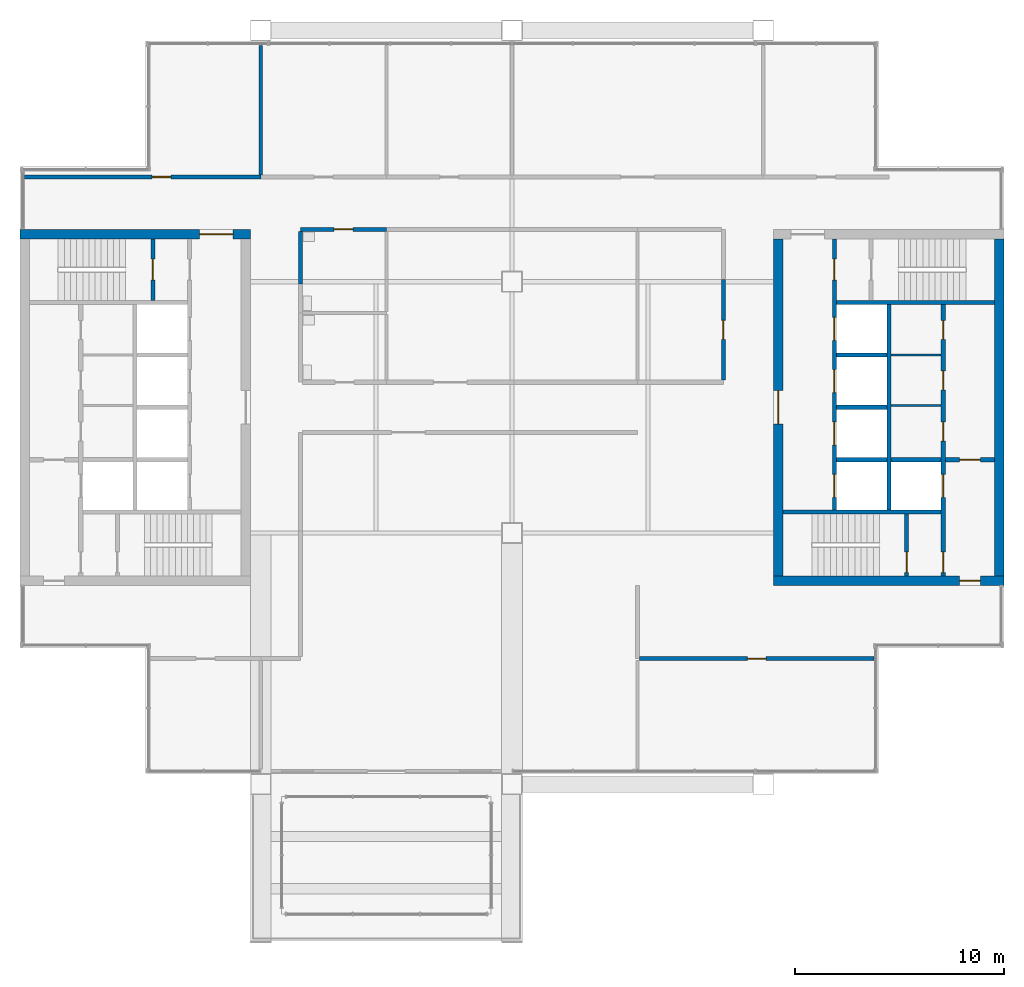
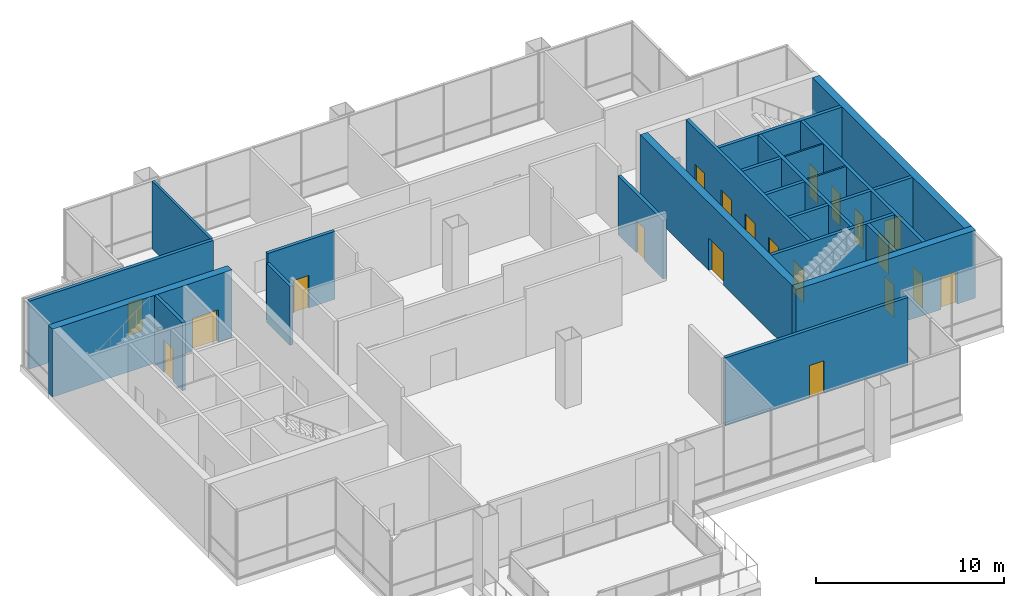
# One storey, part 12 of 15: 24 walls, 20 doors, 20 openings.
"""IFC4 building model written with IfcOpenShell, lengths in metres."""

from ifc_helpers import new_model, si_unit, direction, frame, frame_2d, origin, place, context, subcontext, project, spatial, rectangle, extrude, material, layer, layer_set, type_object, element, fill, save


model = new_model("IFC4")

# Units and contexts
model_context = context("Model", 3, precision=1e-05, world=origin(), true_north=direction((0.0, 1.0)))
body_context = subcontext(model_context, "Body", "Model", "MODEL_VIEW")
ifc_project = project(units=[si_unit("LENGTHUNIT", "METRE"), si_unit("AREAUNIT", "SQUARE_METRE"), si_unit("VOLUMEUNIT", "CUBIC_METRE"), si_unit("PLANEANGLEUNIT", "RADIAN"), si_unit("MASSUNIT", "GRAM", prefix="KILO")], contexts=[model_context])

# Site, building, storey
site_placement = place(None, origin())
site = spatial("IfcSite", under=ifc_project, at=site_placement, CompositionType="ELEMENT")
building_placement = place(site_placement, origin())
building = spatial("IfcBuilding", under=site, at=building_placement, Name="Kitamizu Gate Tower and Museum", CompositionType="ELEMENT")
storey_placement = place(building_placement, frame((0.0, 0.0, 273.14990234375)))
storey = spatial("IfcBuildingStorey", under=building, at=storey_placement, Name="L74", CompositionType="ELEMENT", Elevation=273.14990234375)

# Wall, opening, door
ifc_material_1 = material(Name="Concrete Fc42", Category="concrete")
ifc_layer_1 = layer(ifc_material_1, 0.449951171875)
ifc_layer_set_1 = layer_set([ifc_layer_1], Name="Concrete Fc42")
wall_type_1 = type_object("IfcWallType", Name="Core wall 450 EI 60", PredefinedType="SHEAR", material=ifc_layer_set_1)
wall_1_placement = place(storey_placement, frame((12.5, 38.27490234375, 0.0), z_axis=(0.0, 0.0, 1.0), x_axis=(1.0, 0.0, 0.0)))
wall_1 = element("IfcWall", 1, at=wall_1_placement, inside=storey, type_object=wall_type_1, Name="Core wall WN", PredefinedType="SHEAR", context=body_context, shape_type="SweptSolid", body=[
    extrude(rectangle(XDim=11.0, YDim=0.449951171875, at=frame_2d((5.5, 0.0))), origin(), (0.0, 0.0, 1.0), 4.400146484375),
])
opening_1_placement = place(wall_1_placement, frame((8.574951171875, 0.0, 0.0)))
opening_1 = element("IfcOpeningElement", 2, at=opening_1_placement, cuts=wall_1, Name="Opening L74-019", PredefinedType="OPENING", context=body_context, shape_type="SweptSolid", body=[
    extrude(rectangle(XDim=1.60009765625, YDim=2.10009765625, at=frame_2d((0.800048828125, 1.050048828125))), frame((0.0, 0.23486328125, 0.0), z_axis=(0.0, -1.0, 0.0), x_axis=(1.0, 0.0, 0.0)), (0.0, 0.0, 1.0), 0.469970703125),
])
ifc_material_2 = material(Name="Timber door set", Category="wood")
door_type_1 = type_object("IfcDoorType", Name="Entrance door 1600", OperationType="DOUBLE_DOOR_SINGLE_SWING", PredefinedType="DOOR", material=ifc_material_2)
door_1_placement = place(opening_1_placement, origin())
door_1 = element("IfcDoor", 3, at=door_1_placement, inside=storey, type_object=door_type_1, Name="Lobby door L74-019", OperationType="DOUBLE_DOOR_SINGLE_SWING", OverallHeight=2.10009765625, OverallWidth=1.60009765625, PredefinedType="DOOR", context=body_context, shape_type="SweptSolid", body=[
    extrude(rectangle(XDim=1.60009765625, YDim=2.10009765625, at=frame_2d((0.800048828125, 1.050048828125))), frame((0.0, 0.02490234375, 0.0), z_axis=(0.0, -1.0, 0.0), x_axis=(1.0, 0.0, 0.0)), (0.0, 0.0, 1.0), 0.050048828125),
])
fill(opening_1, door_1)

wall_2_placement = place(storey_placement, frame((59.5, 21.72509765625, 0.0), z_axis=(0.0, 0.0, 1.0), x_axis=(-1.0, 0.0, 0.0)))
wall_2 = element("IfcWall", 4, at=wall_2_placement, inside=storey, type_object=wall_type_1, Name="Core wall ES", PredefinedType="SHEAR", context=body_context, shape_type="SweptSolid", body=[
    extrude(rectangle(XDim=11.0, YDim=0.449951171875, at=frame_2d((5.5, 0.0))), origin(), (0.0, 0.0, 1.0), 4.400146484375),
])
opening_2_placement = place(wall_2_placement, frame((1.125, 0.0, 0.0)))
opening_2 = element("IfcOpeningElement", 5, at=opening_2_placement, cuts=wall_2, Name="Opening L74-029", PredefinedType="OPENING", context=body_context, shape_type="SweptSolid", body=[
    extrude(rectangle(XDim=1.0, YDim=2.10009765625, at=frame_2d((0.5, 1.050048828125))), frame((0.0, 0.23486328125, 0.0), z_axis=(0.0, -1.0, 0.0), x_axis=(1.0, 0.0, 0.0)), (0.0, 0.0, 1.0), 0.469970703125),
])
ifc_material_3 = material(Name="Hollow metal door set")
door_type_2 = type_object("IfcDoorType", Name="Fire door 1000", OperationType="NOTDEFINED", PredefinedType="DOOR", material=ifc_material_3)
door_2_placement = place(opening_2_placement, frame((1.0, 0.0, 0.0), x_axis=(-1.0, 0.0, 0.0)))
door_2 = element("IfcDoor", 6, at=door_2_placement, inside=storey, type_object=door_type_2, Name="Fire-fighting lobby door L74-029", OperationType="SINGLE_SWING_LEFT", OverallHeight=2.10009765625, OverallWidth=1.0, PredefinedType="DOOR", context=body_context, shape_type="SweptSolid", body=[
    extrude(rectangle(XDim=1.0, YDim=2.10009765625, at=frame_2d((0.5, 1.050048828125))), frame((0.0, 0.02490234375, 0.0), z_axis=(0.0, -1.0, 0.0), x_axis=(1.0, 0.0, 0.0)), (0.0, 0.0, 1.0), 0.050048828125),
])
fill(opening_2, door_2)

# Wall
wall_3_placement = place(storey_placement, frame((59.27490234375, 21.949951171875, 0.0), z_axis=(0.0, 0.0, 1.0), x_axis=(0.0, 1.0, 0.0)))
element("IfcWall", 7, at=wall_3_placement, inside=storey, type_object=wall_type_1, Name="Core wall EOUT", PredefinedType="SHEAR", context=body_context, shape_type="SweptSolid", body=[
    extrude(rectangle(XDim=16.10009765625, YDim=0.449951171875, at=frame_2d((8.050048828125, 0.0))), origin(), (0.0, 0.0, 1.0), 4.400146484375),
])

# Wall, opening, door
wall_4_placement = place(storey_placement, frame((48.72509765625, 21.949951171875, 0.0), z_axis=(0.0, 0.0, 1.0), x_axis=(0.0, 1.0, 0.0)))
wall_4 = element("IfcWall", 8, at=wall_4_placement, inside=storey, type_object=wall_type_1, Name="Core wall EARC", PredefinedType="SHEAR", context=body_context, shape_type="SweptSolid", body=[
    extrude(rectangle(XDim=16.10009765625, YDim=0.449951171875, at=frame_2d((8.050048828125, 0.0))), origin(), (0.0, 0.0, 1.0), 4.400146484375),
])
opening_3_placement = place(wall_4_placement, frame((7.25, 0.0, 0.0)))
opening_3 = element("IfcOpeningElement", 9, at=opening_3_placement, cuts=wall_4, Name="Opening L74-031", PredefinedType="OPENING", context=body_context, shape_type="SweptSolid", body=[
    extrude(rectangle(XDim=1.60009765625, YDim=2.10009765625, at=frame_2d((0.800048828125, 1.050048828125))), frame((0.0, 0.23486328125, 0.0), z_axis=(0.0, -1.0, 0.0), x_axis=(1.0, 0.0, 0.0)), (0.0, 0.0, 1.0), 0.469970703125),
])
door_3_placement = place(opening_3_placement, origin())
door_3 = element("IfcDoor", 10, at=door_3_placement, inside=storey, type_object=door_type_1, Name="Lobby door L74-031", OperationType="DOUBLE_DOOR_SINGLE_SWING", OverallHeight=2.10009765625, OverallWidth=1.60009765625, PredefinedType="DOOR", context=body_context, shape_type="SweptSolid", body=[
    extrude(rectangle(XDim=1.60009765625, YDim=2.10009765625, at=frame_2d((0.800048828125, 1.050048828125))), frame((0.0, 0.02490234375, 0.0), z_axis=(0.0, -1.0, 0.0), x_axis=(1.0, 0.0, 0.0)), (0.0, 0.0, 1.0), 0.050048828125),
])
fill(opening_3, door_3)

# Walls
ifc_material_4 = material(Name="Gypsum board on galvanised stud")
ifc_layer_2 = layer(ifc_material_4, 0.10009765625)
ifc_layer_set_2 = layer_set([ifc_layer_2], Name="Gypsum board on galvanised stud")
wall_type_2 = type_object("IfcWallType", Name="Partition 100", PredefinedType="PARTITIONING", material=ifc_layer_set_2)
for number, where, z_axis, x_axis, name in (
    (11, (56.5, 30.08203125, 0.0), (0.0, 0.0, 1.0), (-1.0, 0.0, 0.0), "Partition EPF1"),
    (12, (56.5, 32.490966796875, 0.0), (0.0, 0.0, 1.0), (-1.0, 0.0, 0.0), "Partition EPF2"),
):
    element("IfcWall", number, at=place(storey_placement, frame(where, z_axis=z_axis, x_axis=x_axis)), inside=storey, type_object=wall_type_2, Name=name, PredefinedType="PARTITIONING", context=body_context, shape_type="SweptSolid", body=[
        extrude(rectangle(XDim=2.39990234375, YDim=0.10009765625, at=frame_2d((1.199951171875, 0.0))), origin(), (0.0, 0.0, 1.0), 4.400146484375),
    ])
ifc_material_5 = material(Name="Gypsum board on galvanised stud")
ifc_layer_3 = layer(ifc_material_5, 0.14990234375)
ifc_layer_set_3 = layer_set([ifc_layer_3], Name="Gypsum board on galvanised stud")
wall_type_3 = type_object("IfcWallType", Name="Partition 150", PredefinedType="PARTITIONING", material=ifc_layer_set_3)
wall_5_placement = place(storey_placement, frame((24.0, 41.10009765625, 0.0), z_axis=(0.0, 0.0, 1.0), x_axis=(0.0, 1.0, 0.0)))
element("IfcWall", 13, at=wall_5_placement, inside=storey, type_object=wall_type_3, Name="Partition L74-029", PredefinedType="PARTITIONING", context=body_context, shape_type="SweptSolid", body=[
    extrude(rectangle(XDim=6.179931640625, YDim=0.14990234375, at=frame_2d((3.08984375, 0.0))), origin(), (0.0, 0.0, 1.0), 4.400146484375),
])

# Wall, opening, door
ifc_material_6 = material(Name="Gypsum board on galvanised stud")
ifc_layer_4 = layer(ifc_material_6, 0.199951171875)
ifc_layer_set_4 = layer_set([ifc_layer_4], Name="Gypsum board on galvanised stud")
wall_type_4 = type_object("IfcWallType", Name="Partition 200", PredefinedType="PARTITIONING", material=ifc_layer_set_4)
wall_6_placement = place(storey_placement, frame((42.10009765625, 18.0, 0.0), z_axis=(0.0, 0.0, 1.0), x_axis=(1.0, 0.0, 0.0)))
wall_6 = element("IfcWall", 14, at=wall_6_placement, inside=storey, type_object=wall_type_4, Name="Partition L74-008", PredefinedType="PARTITIONING", context=body_context, shape_type="SweptSolid", body=[
    extrude(rectangle(XDim=11.179931640625, YDim=0.199951171875, at=frame_2d((5.58984375, 0.0))), origin(), (0.0, 0.0, 1.0), 4.400146484375),
])
opening_4_placement = place(wall_6_placement, frame((5.139892578125, 0.0, 0.0)))
opening_4 = element("IfcOpeningElement", 15, at=opening_4_placement, cuts=wall_6, Name="Opening L74-003", PredefinedType="OPENING", context=body_context, shape_type="SweptSolid", body=[
    extrude(rectangle(XDim=0.89990234375, YDim=2.10009765625, at=frame_2d((0.449951171875, 1.050048828125))), frame((0.0, 0.10986328125, 0.0), z_axis=(0.0, -1.0, 0.0), x_axis=(1.0, 0.0, 0.0)), (0.0, 0.0, 1.0), 0.219970703125),
])
ifc_material_7 = material(Name="Timber door set", Category="wood")
door_type_3 = type_object("IfcDoorType", Name="Room door 900", OperationType="NOTDEFINED", PredefinedType="DOOR", material=ifc_material_7)
door_4_placement = place(opening_4_placement, frame((0.89990234375, 0.0, 0.0), x_axis=(-1.0, 0.0, 0.0)))
door_4 = element("IfcDoor", 16, at=door_4_placement, inside=storey, type_object=door_type_3, Name="Door L74-003", OperationType="SINGLE_SWING_RIGHT", OverallHeight=2.10009765625, OverallWidth=0.89990234375, PredefinedType="DOOR", context=body_context, shape_type="SweptSolid", body=[
    extrude(rectangle(XDim=0.89990234375, YDim=2.10009765625, at=frame_2d((0.449951171875, 1.050048828125))), frame((0.0, 0.02490234375, 0.0), z_axis=(0.0, -1.0, 0.0), x_axis=(1.0, 0.0, 0.0)), (0.0, 0.0, 1.0), 0.050048828125),
])
fill(opening_4, door_4)

wall_7_placement = place(storey_placement, frame((24.0, 41.0, 0.0), z_axis=(0.0, 0.0, 1.0), x_axis=(-1.0, 0.0, 0.0)))
wall_7 = element("IfcWall", 17, at=wall_7_placement, inside=storey, type_object=wall_type_4, Name="Partition L74-009", PredefinedType="PARTITIONING", context=body_context, shape_type="SweptSolid", body=[
    extrude(rectangle(XDim=11.280029296875, YDim=0.199951171875, at=frame_2d((5.64013671875, 0.0))), origin(), (0.0, 0.0, 1.0), 4.400146484375),
])
opening_5_placement = place(wall_7_placement, frame((4.2900390625, 0.0, 0.0)))
opening_5 = element("IfcOpeningElement", 18, at=opening_5_placement, cuts=wall_7, Name="Opening L74-004", PredefinedType="OPENING", context=body_context, shape_type="SweptSolid", body=[
    extrude(rectangle(XDim=0.89990234375, YDim=2.10009765625, at=frame_2d((0.449951171875, 1.050048828125))), frame((0.0, 0.10986328125, 0.0), z_axis=(0.0, -1.0, 0.0), x_axis=(1.0, 0.0, 0.0)), (0.0, 0.0, 1.0), 0.219970703125),
])
door_5_placement = place(opening_5_placement, frame((0.89990234375, 0.0, 0.0), x_axis=(-1.0, 0.0, 0.0)))
door_5 = element("IfcDoor", 19, at=door_5_placement, inside=storey, type_object=door_type_3, Name="Door L74-004", OperationType="SINGLE_SWING_RIGHT", OverallHeight=2.10009765625, OverallWidth=0.89990234375, PredefinedType="DOOR", context=body_context, shape_type="SweptSolid", body=[
    extrude(rectangle(XDim=0.89990234375, YDim=2.10009765625, at=frame_2d((0.449951171875, 1.050048828125))), frame((0.0, 0.02490234375, 0.0), z_axis=(0.0, -1.0, 0.0), x_axis=(1.0, 0.0, 0.0)), (0.0, 0.0, 1.0), 0.050048828125),
])
fill(opening_5, door_5)

wall_8_placement = place(storey_placement, frame((30.0, 38.5, 0.0), z_axis=(0.0, 0.0, 1.0), x_axis=(-1.0, 0.0, 0.0)))
wall_8 = element("IfcWall", 20, at=wall_8_placement, inside=storey, type_object=wall_type_4, Name="Partition L74-014", PredefinedType="PARTITIONING", context=body_context, shape_type="SweptSolid", body=[
    extrude(rectangle(XDim=4.10009765625, YDim=0.199951171875, at=frame_2d((2.050048828125, 0.0))), origin(), (0.0, 0.0, 1.0), 4.400146484375),
])
opening_6_placement = place(wall_8_placement, frame((1.60009765625, 0.0, 0.0)))
opening_6 = element("IfcOpeningElement", 21, at=opening_6_placement, cuts=wall_8, Name="Opening L74-009", PredefinedType="OPENING", context=body_context, shape_type="SweptSolid", body=[
    extrude(rectangle(XDim=0.89990234375, YDim=2.10009765625, at=frame_2d((0.449951171875, 1.050048828125))), frame((0.0, 0.10986328125, 0.0), z_axis=(0.0, -1.0, 0.0), x_axis=(1.0, 0.0, 0.0)), (0.0, 0.0, 1.0), 0.219970703125),
])
ifc_material_8 = material(Name="Timber door set", Category="wood")
door_type_4 = type_object("IfcDoorType", Name="Store door 900", OperationType="NOTDEFINED", PredefinedType="DOOR", material=ifc_material_8)
door_6_placement = place(opening_6_placement, origin())
door_6 = element("IfcDoor", 22, at=door_6_placement, inside=storey, type_object=door_type_4, Name="Store door L74-009", OperationType="SINGLE_SWING_LEFT", OverallHeight=2.10009765625, OverallWidth=0.89990234375, PredefinedType="DOOR", context=body_context, shape_type="SweptSolid", body=[
    extrude(rectangle(XDim=0.89990234375, YDim=2.10009765625, at=frame_2d((0.449951171875, 1.050048828125))), frame((0.0, 0.02490234375, 0.0), z_axis=(0.0, -1.0, 0.0), x_axis=(1.0, 0.0, 0.0)), (0.0, 0.0, 1.0), 0.050048828125),
])
fill(opening_6, door_6)

# Wall
wall_9_placement = place(storey_placement, frame((25.89990234375, 38.39990234375, 0.0), z_axis=(0.0, 0.0, 1.0), x_axis=(0.0, -1.0, 0.0)))
element("IfcWall", 23, at=wall_9_placement, inside=storey, type_object=wall_type_4, Name="Partition L74-015", PredefinedType="PARTITIONING", context=body_context, shape_type="SweptSolid", body=[
    extrude(rectangle(XDim=2.5, YDim=0.199951171875, at=frame_2d((1.25, 0.0))), origin(), (0.0, 0.0, 1.0), 3.800048828125),
])

# Wall, opening, door
wall_10_placement = place(storey_placement, frame((46.10009765625, 31.300048828125, 0.0), z_axis=(0.0, 0.0, 1.0), x_axis=(0.0, 1.0, 0.0)))
wall_10 = element("IfcWall", 24, at=wall_10_placement, inside=storey, type_object=wall_type_4, Name="Partition L74-024", PredefinedType="PARTITIONING", context=body_context, shape_type="SweptSolid", body=[
    extrude(rectangle(XDim=4.800048828125, YDim=0.199951171875, at=frame_2d((2.39990234375, 0.0))), origin(), (0.0, 0.0, 1.0), 3.800048828125),
])
opening_7_placement = place(wall_10_placement, frame((1.949951171875, 0.0, 0.0)))
opening_7 = element("IfcOpeningElement", 25, at=opening_7_placement, cuts=wall_10, Name="Opening L74-012", PredefinedType="OPENING", context=body_context, shape_type="SweptSolid", body=[
    extrude(rectangle(XDim=0.89990234375, YDim=2.10009765625, at=frame_2d((0.449951171875, 1.050048828125))), frame((0.0, 0.10986328125, 0.0), z_axis=(0.0, -1.0, 0.0), x_axis=(1.0, 0.0, 0.0)), (0.0, 0.0, 1.0), 0.219970703125),
])
door_7_placement = place(opening_7_placement, origin())
door_7 = element("IfcDoor", 26, at=door_7_placement, inside=storey, type_object=door_type_3, Name="Door L74-012", OperationType="SINGLE_SWING_LEFT", OverallHeight=2.10009765625, OverallWidth=0.89990234375, PredefinedType="DOOR", context=body_context, shape_type="SweptSolid", body=[
    extrude(rectangle(XDim=0.89990234375, YDim=2.10009765625, at=frame_2d((0.449951171875, 1.050048828125))), frame((0.0, 0.02490234375, 0.0), z_axis=(0.0, -1.0, 0.0), x_axis=(1.0, 0.0, 0.0)), (0.0, 0.0, 1.0), 0.050048828125),
])
fill(opening_7, door_7)

ifc_material_9 = material(Name="Concrete Fc42", Category="concrete")
ifc_layer_5 = layer(ifc_material_9, 0.199951171875)
ifc_layer_set_5 = layer_set([ifc_layer_5], Name="Concrete Fc42")
wall_type_5 = type_object("IfcWallType", Name="Shaft wall 200", PredefinedType="SOLIDWALL", material=ifc_layer_set_5)
wall_11_placement = place(storey_placement, frame((18.85009765625, 35.10009765625, 0.0), z_axis=(0.0, 0.0, 1.0), x_axis=(0.0, 1.0, 0.0)))
wall_11 = element("IfcWall", 27, at=wall_11_placement, inside=storey, type_object=wall_type_5, Name="Shaft wall WNZ", PredefinedType="SOLIDWALL", context=body_context, shape_type="SweptSolid", body=[
    extrude(rectangle(XDim=2.949951171875, YDim=0.199951171875, at=frame_2d((1.47509765625, 0.0))), origin(), (0.0, 0.0, 1.0), 4.400146484375),
])
opening_8_placement = place(wall_11_placement, frame((0.97509765625, 0.0, 0.0)))
opening_8 = element("IfcOpeningElement", 28, at=opening_8_placement, cuts=wall_11, Name="Opening L74-016", PredefinedType="OPENING", context=body_context, shape_type="SweptSolid", body=[
    extrude(rectangle(XDim=1.0, YDim=2.10009765625, at=frame_2d((0.5, 1.050048828125))), frame((0.0, 0.10986328125, 0.0), z_axis=(0.0, -1.0, 0.0), x_axis=(1.0, 0.0, 0.0)), (0.0, 0.0, 1.0), 0.219970703125),
])
door_8_placement = place(opening_8_placement, origin())
door_8 = element("IfcDoor", 29, at=door_8_placement, inside=storey, type_object=door_type_2, Name="Stair door L74-016", OperationType="SINGLE_SWING_LEFT", OverallHeight=2.10009765625, OverallWidth=1.0, PredefinedType="DOOR", context=body_context, shape_type="SweptSolid", body=[
    extrude(rectangle(XDim=1.0, YDim=2.10009765625, at=frame_2d((0.5, 1.050048828125))), frame((0.0, 0.02490234375, 0.0), z_axis=(0.0, -1.0, 0.0), x_axis=(1.0, 0.0, 0.0)), (0.0, 0.0, 1.0), 0.050048828125),
])
fill(opening_8, door_8)

# Wall, openings, doors
wall_12_placement = place(storey_placement, frame((56.60009765625, 21.949951171875, 0.0), z_axis=(0.0, 0.0, 1.0), x_axis=(0.0, 1.0, 0.0)))
wall_12 = element("IfcWall", 30, at=wall_12_placement, inside=storey, type_object=wall_type_5, Name="Shaft wall EWEST", PredefinedType="SOLIDWALL", context=body_context, shape_type="SweptSolid", body=[
    extrude(rectangle(XDim=12.949951171875, YDim=0.199951171875, at=frame_2d((6.47509765625, 0.0))), origin(), (0.0, 0.0, 1.0), 4.400146484375),
])
opening_9_placement = place(wall_12_placement, frame((3.75, 0.0, 0.0)))
opening_9 = element("IfcOpeningElement", 31, at=opening_9_placement, cuts=wall_12, Name="Opening LD", PredefinedType="OPENING", context=body_context, shape_type="SweptSolid", body=[
    extrude(rectangle(XDim=1.10009765625, YDim=2.10009765625, at=frame_2d((0.550048828125, 1.050048828125))), frame((0.0, 0.10986328125, 0.0), z_axis=(0.0, -1.0, 0.0), x_axis=(1.0, 0.0, 0.0)), (0.0, 0.0, 1.0), 0.219970703125),
])
opening_10_placement = place(wall_12_placement, frame((0.14990234375, 0.0, 0.0)))
opening_10 = element("IfcOpeningElement", 32, at=opening_10_placement, cuts=wall_12, Name="Opening L74-025", PredefinedType="OPENING", context=body_context, shape_type="SweptSolid", body=[
    extrude(rectangle(XDim=1.0, YDim=2.10009765625, at=frame_2d((0.5, 1.050048828125))), frame((0.0, 0.10986328125, 0.0), z_axis=(0.0, -1.0, 0.0), x_axis=(1.0, 0.0, 0.0)), (0.0, 0.0, 1.0), 0.219970703125),
])
opening_11_placement = place(wall_12_placement, frame((6.44091796875, 0.0, 0.0)))
opening_11 = element("IfcOpeningElement", 33, at=opening_11_placement, cuts=wall_12, Name="Opening L74-032", PredefinedType="OPENING", context=body_context, shape_type="SweptSolid", body=[
    extrude(rectangle(XDim=0.89990234375, YDim=2.10009765625, at=frame_2d((0.449951171875, 1.050048828125))), frame((0.0, 0.10986328125, 0.0), z_axis=(0.0, -1.0, 0.0), x_axis=(1.0, 0.0, 0.0)), (0.0, 0.0, 1.0), 0.219970703125),
])
opening_12_placement = place(wall_12_placement, frame((8.886474609375, 0.0, 0.0)))
opening_12 = element("IfcOpeningElement", 34, at=opening_12_placement, cuts=wall_12, Name="Opening L74-033", PredefinedType="OPENING", context=body_context, shape_type="SweptSolid", body=[
    extrude(rectangle(XDim=0.89990234375, YDim=2.10009765625, at=frame_2d((0.449951171875, 1.050048828125))), frame((0.0, 0.10986328125, 0.0), z_axis=(0.0, -1.0, 0.0), x_axis=(1.0, 0.0, 0.0)), (0.0, 0.0, 1.0), 0.219970703125),
])
opening_13_placement = place(wall_12_placement, frame((11.29541015625, 0.0, 0.0)))
opening_13 = element("IfcOpeningElement", 35, at=opening_13_placement, cuts=wall_12, Name="Opening L74-034", PredefinedType="OPENING", context=body_context, shape_type="SweptSolid", body=[
    extrude(rectangle(XDim=0.89990234375, YDim=2.10009765625, at=frame_2d((0.449951171875, 1.050048828125))), frame((0.0, 0.10986328125, 0.0), z_axis=(0.0, -1.0, 0.0), x_axis=(1.0, 0.0, 0.0)), (0.0, 0.0, 1.0), 0.219970703125),
])
door_9_placement = place(opening_10_placement, origin())
door_9 = element("IfcDoor", 36, at=door_9_placement, inside=storey, type_object=door_type_2, Name="Stair lobby door L74-025", OperationType="SINGLE_SWING_RIGHT", OverallHeight=2.10009765625, OverallWidth=1.0, PredefinedType="DOOR", context=body_context, shape_type="SweptSolid", body=[
    extrude(rectangle(XDim=1.0, YDim=2.10009765625, at=frame_2d((0.5, 1.050048828125))), frame((0.0, 0.02490234375, 0.0), z_axis=(0.0, -1.0, 0.0), x_axis=(1.0, 0.0, 0.0)), (0.0, 0.0, 1.0), 0.050048828125),
])
fill(opening_10, door_9)
ifc_material_10 = material(Name="Hollow metal door set")
door_type_5 = type_object("IfcDoorType", Name="Landing door 1100", OperationType="SLIDING_TO_LEFT", PredefinedType="DOOR", material=ifc_material_10)
door_10_placement = place(opening_9_placement, origin())
door_10 = element("IfcDoor", 37, at=door_10_placement, inside=storey, type_object=door_type_5, Name="Landing door EFF1", OperationType="SLIDING_TO_LEFT", OverallHeight=2.10009765625, OverallWidth=1.10009765625, PredefinedType="DOOR", context=body_context, shape_type="SweptSolid", body=[
    extrude(rectangle(XDim=1.10009765625, YDim=2.10009765625, at=frame_2d((0.550048828125, 1.050048828125))), frame((0.0, 0.02490234375, 0.0), z_axis=(0.0, -1.0, 0.0), x_axis=(1.0, 0.0, 0.0)), (0.0, 0.0, 1.0), 0.050048828125),
])
fill(opening_9, door_10)
ifc_material_11 = material(Name="Timber door set", Category="wood")
door_type_6 = type_object("IfcDoorType", Name="Service door 900", OperationType="NOTDEFINED", PredefinedType="DOOR", material=ifc_material_11)
door_11_placement = place(opening_11_placement, origin())
door_11 = element("IfcDoor", 38, at=door_11_placement, inside=storey, type_object=door_type_6, Name="Service door L74-032", OperationType="SINGLE_SWING_LEFT", OverallHeight=2.10009765625, OverallWidth=0.89990234375, PredefinedType="DOOR", context=body_context, shape_type="SweptSolid", body=[
    extrude(rectangle(XDim=0.89990234375, YDim=2.10009765625, at=frame_2d((0.449951171875, 1.050048828125))), frame((0.0, 0.02490234375, 0.0), z_axis=(0.0, -1.0, 0.0), x_axis=(1.0, 0.0, 0.0)), (0.0, 0.0, 1.0), 0.050048828125),
])
fill(opening_11, door_11)
door_12_placement = place(opening_12_placement, origin())
door_12 = element("IfcDoor", 39, at=door_12_placement, inside=storey, type_object=door_type_6, Name="Service door L74-033", OperationType="SINGLE_SWING_RIGHT", OverallHeight=2.10009765625, OverallWidth=0.89990234375, PredefinedType="DOOR", context=body_context, shape_type="SweptSolid", body=[
    extrude(rectangle(XDim=0.89990234375, YDim=2.10009765625, at=frame_2d((0.449951171875, 1.050048828125))), frame((0.0, 0.02490234375, 0.0), z_axis=(0.0, -1.0, 0.0), x_axis=(1.0, 0.0, 0.0)), (0.0, 0.0, 1.0), 0.050048828125),
])
fill(opening_12, door_12)
door_13_placement = place(opening_13_placement, origin())
door_13 = element("IfcDoor", 40, at=door_13_placement, inside=storey, type_object=door_type_6, Name="Service door L74-034", OperationType="SINGLE_SWING_LEFT", OverallHeight=2.10009765625, OverallWidth=0.89990234375, PredefinedType="DOOR", context=body_context, shape_type="SweptSolid", body=[
    extrude(rectangle(XDim=0.89990234375, YDim=2.10009765625, at=frame_2d((0.449951171875, 1.050048828125))), frame((0.0, 0.02490234375, 0.0), z_axis=(0.0, -1.0, 0.0), x_axis=(1.0, 0.0, 0.0)), (0.0, 0.0, 1.0), 0.050048828125),
])
fill(opening_13, door_13)

wall_13_placement = place(storey_placement, frame((51.39990234375, 25.10009765625, 0.0), z_axis=(0.0, 0.0, 1.0), x_axis=(0.0, 1.0, 0.0)))
wall_13 = element("IfcWall", 41, at=wall_13_placement, inside=storey, type_object=wall_type_5, Name="Shaft wall EEAST", PredefinedType="SOLIDWALL", context=body_context, shape_type="SweptSolid", body=[
    extrude(rectangle(XDim=12.949951171875, YDim=0.199951171875, at=frame_2d((6.47509765625, 0.0))), origin(), (0.0, 0.0, 1.0), 4.400146484375),
])
opening_14_placement = place(wall_13_placement, frame((0.60009765625, 0.0, 0.0)))
opening_14 = element("IfcOpeningElement", 42, at=opening_14_placement, cuts=wall_13, Name="Opening LD", PredefinedType="OPENING", context=body_context, shape_type="SweptSolid", body=[
    extrude(rectangle(XDim=1.10009765625, YDim=2.10009765625, at=frame_2d((0.550048828125, 1.050048828125))), frame((0.0, 0.10986328125, 0.0), z_axis=(0.0, -1.0, 0.0), x_axis=(1.0, 0.0, 0.0)), (0.0, 0.0, 1.0), 0.219970703125),
])
opening_15_placement = place(wall_13_placement, frame((3.10009765625, 0.0, 0.0)))
opening_15 = element("IfcOpeningElement", 43, at=opening_15_placement, cuts=wall_13, Name="Opening LD", PredefinedType="OPENING", context=body_context, shape_type="SweptSolid", body=[
    extrude(rectangle(XDim=1.10009765625, YDim=2.10009765625, at=frame_2d((0.550048828125, 1.050048828125))), frame((0.0, 0.10986328125, 0.0), z_axis=(0.0, -1.0, 0.0), x_axis=(1.0, 0.0, 0.0)), (0.0, 0.0, 1.0), 0.219970703125),
])
opening_16_placement = place(wall_13_placement, frame((5.60009765625, 0.0, 0.0)))
opening_16 = element("IfcOpeningElement", 44, at=opening_16_placement, cuts=wall_13, Name="Opening LD", PredefinedType="OPENING", context=body_context, shape_type="SweptSolid", body=[
    extrude(rectangle(XDim=1.10009765625, YDim=2.10009765625, at=frame_2d((0.550048828125, 1.050048828125))), frame((0.0, 0.10986328125, 0.0), z_axis=(0.0, -1.0, 0.0), x_axis=(1.0, 0.0, 0.0)), (0.0, 0.0, 1.0), 0.219970703125),
])
opening_17_placement = place(wall_13_placement, frame((8.10009765625, 0.0, 0.0)))
opening_17 = element("IfcOpeningElement", 45, at=opening_17_placement, cuts=wall_13, Name="Opening LD", PredefinedType="OPENING", context=body_context, shape_type="SweptSolid", body=[
    extrude(rectangle(XDim=1.10009765625, YDim=2.10009765625, at=frame_2d((0.550048828125, 1.050048828125))), frame((0.0, 0.10986328125, 0.0), z_axis=(0.0, -1.0, 0.0), x_axis=(1.0, 0.0, 0.0)), (0.0, 0.0, 1.0), 0.219970703125),
])
opening_18_placement = place(wall_13_placement, frame((10.97509765625, 0.0, 0.0)))
opening_18 = element("IfcOpeningElement", 46, at=opening_18_placement, cuts=wall_13, Name="Opening L74-026", PredefinedType="OPENING", context=body_context, shape_type="SweptSolid", body=[
    extrude(rectangle(XDim=1.0, YDim=2.10009765625, at=frame_2d((0.5, 1.050048828125))), frame((0.0, 0.10986328125, 0.0), z_axis=(0.0, -1.0, 0.0), x_axis=(1.0, 0.0, 0.0)), (0.0, 0.0, 1.0), 0.219970703125),
])
door_14_placement = place(opening_18_placement, frame((1.0, 0.0, 0.0), x_axis=(-1.0, 0.0, 0.0)))
door_14 = element("IfcDoor", 47, at=door_14_placement, inside=storey, type_object=door_type_2, Name="Stair lobby door L74-026", OperationType="SINGLE_SWING_RIGHT", OverallHeight=2.10009765625, OverallWidth=1.0, PredefinedType="DOOR", context=body_context, shape_type="SweptSolid", body=[
    extrude(rectangle(XDim=1.0, YDim=2.10009765625, at=frame_2d((0.5, 1.050048828125))), frame((0.0, 0.02490234375, 0.0), z_axis=(0.0, -1.0, 0.0), x_axis=(1.0, 0.0, 0.0)), (0.0, 0.0, 1.0), 0.050048828125),
])
fill(opening_18, door_14)
door_15_placement = place(opening_14_placement, origin())
door_15 = element("IfcDoor", 48, at=door_15_placement, inside=storey, type_object=door_type_5, Name="Landing door ESV1", OperationType="SLIDING_TO_LEFT", OverallHeight=2.10009765625, OverallWidth=1.10009765625, PredefinedType="DOOR", context=body_context, shape_type="SweptSolid", body=[
    extrude(rectangle(XDim=1.10009765625, YDim=2.10009765625, at=frame_2d((0.550048828125, 1.050048828125))), frame((0.0, 0.02490234375, 0.0), z_axis=(0.0, -1.0, 0.0), x_axis=(1.0, 0.0, 0.0)), (0.0, 0.0, 1.0), 0.050048828125),
])
fill(opening_14, door_15)
door_16_placement = place(opening_15_placement, origin())
door_16 = element("IfcDoor", 49, at=door_16_placement, inside=storey, type_object=door_type_5, Name="Landing door EH1", OperationType="SLIDING_TO_LEFT", OverallHeight=2.10009765625, OverallWidth=1.10009765625, PredefinedType="DOOR", context=body_context, shape_type="SweptSolid", body=[
    extrude(rectangle(XDim=1.10009765625, YDim=2.10009765625, at=frame_2d((0.550048828125, 1.050048828125))), frame((0.0, 0.02490234375, 0.0), z_axis=(0.0, -1.0, 0.0), x_axis=(1.0, 0.0, 0.0)), (0.0, 0.0, 1.0), 0.050048828125),
])
fill(opening_15, door_16)
door_17_placement = place(opening_16_placement, origin())
door_17 = element("IfcDoor", 50, at=door_17_placement, inside=storey, type_object=door_type_5, Name="Landing door EH2", OperationType="SLIDING_TO_LEFT", OverallHeight=2.10009765625, OverallWidth=1.10009765625, PredefinedType="DOOR", context=body_context, shape_type="SweptSolid", body=[
    extrude(rectangle(XDim=1.10009765625, YDim=2.10009765625, at=frame_2d((0.550048828125, 1.050048828125))), frame((0.0, 0.02490234375, 0.0), z_axis=(0.0, -1.0, 0.0), x_axis=(1.0, 0.0, 0.0)), (0.0, 0.0, 1.0), 0.050048828125),
])
fill(opening_16, door_17)
door_18_placement = place(opening_17_placement, origin())
door_18 = element("IfcDoor", 51, at=door_18_placement, inside=storey, type_object=door_type_5, Name="Landing door EH3", OperationType="SLIDING_TO_LEFT", OverallHeight=2.10009765625, OverallWidth=1.10009765625, PredefinedType="DOOR", context=body_context, shape_type="SweptSolid", body=[
    extrude(rectangle(XDim=1.10009765625, YDim=2.10009765625, at=frame_2d((0.550048828125, 1.050048828125))), frame((0.0, 0.02490234375, 0.0), z_axis=(0.0, -1.0, 0.0), x_axis=(1.0, 0.0, 0.0)), (0.0, 0.0, 1.0), 0.050048828125),
])
fill(opening_17, door_18)

# Walls
wall_14_placement = place(storey_placement, frame((54.0, 25.10009765625, 0.0), z_axis=(0.0, 0.0, 1.0), x_axis=(0.0, 1.0, 0.0)))
element("IfcWall", 52, at=wall_14_placement, inside=storey, type_object=wall_type_5, Name="Shaft wall EMID", PredefinedType="SOLIDWALL", context=body_context, shape_type="SweptSolid", body=[
    extrude(rectangle(XDim=9.7998046875, YDim=0.199951171875, at=frame_2d((4.89990234375, 0.0))), origin(), (0.0, 0.0, 1.0), 4.400146484375),
])
for number, where, z_axis, x_axis, name in (
    (53, (56.5, 25.0, 0.0), (0.0, 0.0, 1.0), (-1.0, 0.0, 0.0), "Shaft wall ESB"),
    (54, (59.050048828125, 35.0, 0.0), (0.0, 0.0, 1.0), (-1.0, 0.0, 0.0), "Shaft wall ENB"),
):
    element("IfcWall", number, at=place(storey_placement, frame(where, z_axis=z_axis, x_axis=x_axis)), inside=storey, type_object=wall_type_5, Name=name, PredefinedType="SOLIDWALL", context=body_context, shape_type="SweptSolid", body=[
        extrude(rectangle(XDim=7.550048828125, YDim=0.199951171875, at=frame_2d((3.77490234375, 0.0))), origin(), (0.0, 0.0, 1.0), 4.400146484375),
    ])

# Wall, opening, door
wall_15_placement = place(storey_placement, frame((59.050048828125, 27.5, 0.0), z_axis=(0.0, 0.0, 1.0), x_axis=(-1.0, 0.0, 0.0)))
wall_15 = element("IfcWall", 55, at=wall_15_placement, inside=storey, type_object=wall_type_5, Name="Shaft wall EFFN", PredefinedType="SOLIDWALL", context=body_context, shape_type="SweptSolid", body=[
    extrude(rectangle(XDim=2.35009765625, YDim=0.199951171875, at=frame_2d((1.175048828125, 0.0))), origin(), (0.0, 0.0, 1.0), 4.400146484375),
])
opening_19_placement = place(wall_15_placement, frame((0.675048828125, 0.0, 0.0)))
opening_19 = element("IfcOpeningElement", 56, at=opening_19_placement, cuts=wall_15, Name="Opening L74-028", PredefinedType="OPENING", context=body_context, shape_type="SweptSolid", body=[
    extrude(rectangle(XDim=1.0, YDim=2.10009765625, at=frame_2d((0.5, 1.050048828125))), frame((0.0, 0.10986328125, 0.0), z_axis=(0.0, -1.0, 0.0), x_axis=(1.0, 0.0, 0.0)), (0.0, 0.0, 1.0), 0.219970703125),
])
door_19_placement = place(opening_19_placement, origin())
door_19 = element("IfcDoor", 57, at=door_19_placement, inside=storey, type_object=door_type_2, Name="Fire-fighting lobby door L74-028", OperationType="SINGLE_SWING_LEFT", OverallHeight=2.10009765625, OverallWidth=1.0, PredefinedType="DOOR", context=body_context, shape_type="SweptSolid", body=[
    extrude(rectangle(XDim=1.0, YDim=2.10009765625, at=frame_2d((0.5, 1.050048828125))), frame((0.0, 0.02490234375, 0.0), z_axis=(0.0, -1.0, 0.0), x_axis=(1.0, 0.0, 0.0)), (0.0, 0.0, 1.0), 0.050048828125),
])
fill(opening_19, door_19)

wall_16_placement = place(storey_placement, frame((54.85009765625, 21.949951171875, 0.0), z_axis=(0.0, 0.0, 1.0), x_axis=(0.0, 1.0, 0.0)))
wall_16 = element("IfcWall", 58, at=wall_16_placement, inside=storey, type_object=wall_type_5, Name="Shaft wall ESZ", PredefinedType="SOLIDWALL", context=body_context, shape_type="SweptSolid", body=[
    extrude(rectangle(XDim=2.949951171875, YDim=0.199951171875, at=frame_2d((1.47509765625, 0.0))), origin(), (0.0, 0.0, 1.0), 4.400146484375),
])
opening_20_placement = place(wall_16_placement, frame((0.14990234375, 0.0, 0.0)))
opening_20 = element("IfcOpeningElement", 59, at=opening_20_placement, cuts=wall_16, Name="Opening L74-024", PredefinedType="OPENING", context=body_context, shape_type="SweptSolid", body=[
    extrude(rectangle(XDim=1.0, YDim=2.10009765625, at=frame_2d((0.5, 1.050048828125))), frame((0.0, 0.10986328125, 0.0), z_axis=(0.0, -1.0, 0.0), x_axis=(1.0, 0.0, 0.0)), (0.0, 0.0, 1.0), 0.219970703125),
])
door_20_placement = place(opening_20_placement, origin())
door_20 = element("IfcDoor", 60, at=door_20_placement, inside=storey, type_object=door_type_2, Name="Stair door L74-024", OperationType="SINGLE_SWING_RIGHT", OverallHeight=2.10009765625, OverallWidth=1.0, PredefinedType="DOOR", context=body_context, shape_type="SweptSolid", body=[
    extrude(rectangle(XDim=1.0, YDim=2.10009765625, at=frame_2d((0.5, 1.050048828125))), frame((0.0, 0.02490234375, 0.0), z_axis=(0.0, -1.0, 0.0), x_axis=(1.0, 0.0, 0.0)), (0.0, 0.0, 1.0), 0.050048828125),
])
fill(opening_20, door_20)

# Walls
for number, where, z_axis, x_axis, name in (
    (61, (56.5, 27.5, 0.0), (0.0, 0.0, 1.0), (-1.0, 0.0, 0.0), "Shaft wall EDVW0"),
    (62, (53.89990234375, 27.5, 0.0), (0.0, 0.0, 1.0), (-1.0, 0.0, 0.0), "Shaft wall EDVE0"),
    (63, (53.89990234375, 30.0, 0.0), (0.0, 0.0, 1.0), (-1.0, 0.0, 0.0), "Shaft wall EDVE1"),
    (64, (53.89990234375, 32.5, 0.0), (0.0, 0.0, 1.0), (-1.0, 0.0, 0.0), "Shaft wall EDVE2"),
):
    element("IfcWall", number, at=place(storey_placement, frame(where, z_axis=z_axis, x_axis=x_axis)), inside=storey, type_object=wall_type_5, Name=name, PredefinedType="SOLIDWALL", context=body_context, shape_type="SweptSolid", body=[
        extrude(rectangle(XDim=2.39990234375, YDim=0.199951171875, at=frame_2d((1.199951171875, 0.0))), origin(), (0.0, 0.0, 1.0), 4.400146484375),
    ])

save(model, "model.ifc")
